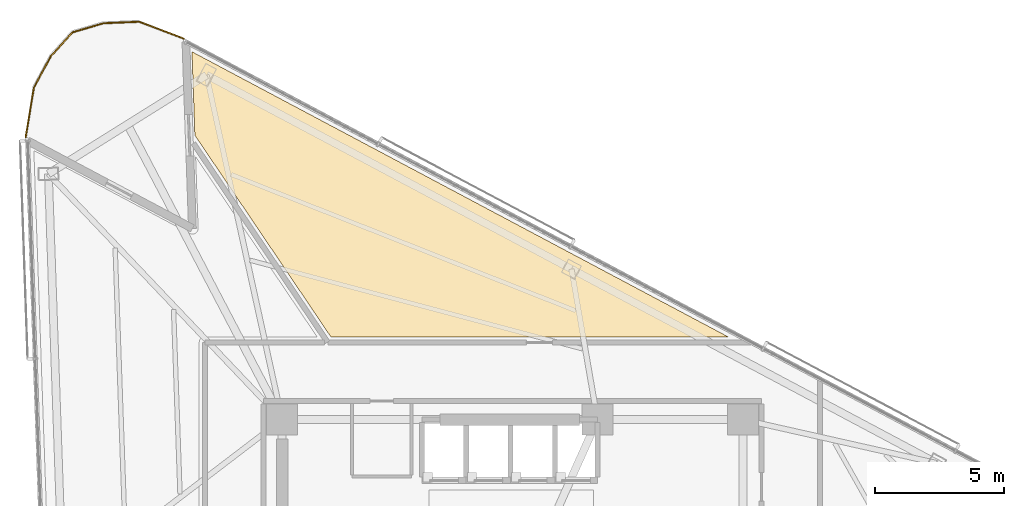
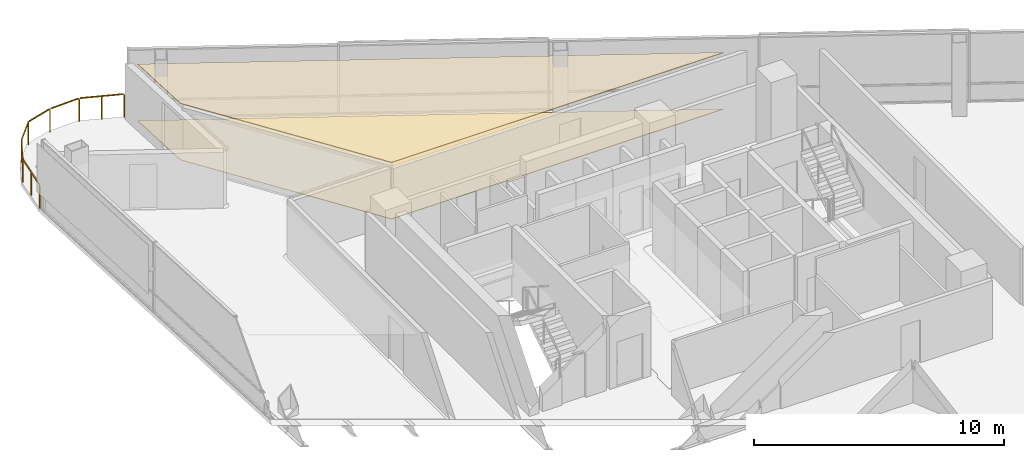
# One storey, part 18 of 18: 2 coverings, 1 railing.
"""IFC4 building model written with IfcOpenShell, lengths in metres."""

from ifc_helpers import new_model, si_unit, direction, frame, origin, origin_2d, place, context, subcontext, project, spatial, polyline, rectangle, outline, extrude, material, layer, layer_set, type_object, element, save


model = new_model("IFC4")

# Units and contexts
model_context = context("Model", 3, precision=1e-05, world=origin(), true_north=direction((0.0, 1.0)))
body_context = subcontext(model_context, "Body", "Model", "MODEL_VIEW")
ifc_project = project(units=[si_unit("LENGTHUNIT", "METRE"), si_unit("AREAUNIT", "SQUARE_METRE"), si_unit("VOLUMEUNIT", "CUBIC_METRE"), si_unit("PLANEANGLEUNIT", "RADIAN"), si_unit("MASSUNIT", "GRAM", prefix="KILO")], contexts=[model_context])

# Site, building, storey
site_placement = place(None, origin())
site = spatial("IfcSite", under=ifc_project, at=site_placement, CompositionType="ELEMENT")
building_placement = place(site_placement, origin())
building = spatial("IfcBuilding", under=site, at=building_placement, Name="Tharavind Bronze Gate", CompositionType="ELEMENT")
storey_placement = place(building_placement, frame((0.0, 0.0, 153.199951171875)))
storey = spatial("IfcBuildingStorey", under=building, at=storey_placement, Name="L39", CompositionType="ELEMENT", Elevation=153.199951171875)

# Coverings
ifc_material_1 = material(Name="Engineered Oak & Carpet Tile", Category="wood")
ifc_layer_1 = layer(ifc_material_1, 0.02490234375)
ifc_layer_set_1 = layer_set([ifc_layer_1], Name="Engineered Oak & Carpet Tile")
covering_type_1 = type_object("IfcCoveringType", Name="ENGINEERED TIMBER FLOORING", PredefinedType="FLOORING", material=ifc_layer_set_1)
covering_1_placement = place(storey_placement, origin())
element("IfcCovering", 1, at=covering_1_placement, inside=storey, type_object=covering_type_1, Name="L39-RM-01 floor finish", PredefinedType="FLOORING", context=body_context, shape_type="SweptSolid", body=[
    extrude(outline(polyline([(-12.26806640625, 18.58154296875), (-7.019287109375, 10.800048828125), (8.320068359375, 10.800048828125), (-12.380615234375, 21.806884765625), (-12.26806640625, 18.58154296875)])), origin(), (0.0, 0.0, 1.0), 0.025146484375),
])
ifc_material_2 = material(Name="Acoustic Gypsum Board", Category="gypsum")
ifc_layer_2 = layer(ifc_material_2, 0.030029296875)
ifc_layer_set_2 = layer_set([ifc_layer_2], Name="Acoustic Gypsum Board")
covering_type_2 = type_object("IfcCoveringType", Name="GYPSUM SUSPENDED CEILING", PredefinedType="CEILING", material=ifc_layer_set_2)
covering_2_placement = place(storey_placement, frame((0.0, 0.0, 2.75)))
element("IfcCovering", 2, at=covering_2_placement, inside=storey, type_object=covering_type_2, Name="L39-RM-01 suspended ceiling", PredefinedType="CEILING", context=body_context, shape_type="SweptSolid", body=[
    extrude(outline(polyline([(-12.26806640625, 18.58154296875), (-7.019287109375, 10.800048828125), (8.320068359375, 10.800048828125), (-12.380615234375, 21.806884765625), (-12.26806640625, 18.58154296875)])), origin(), (0.0, 0.0, 1.0), 0.03515625),
])

# Railing
ifc_material_3 = material(Name="Bronze Cap & Laminated Glass", Category="glass")
railing_type = type_object("IfcRailingType", Name="TERRACE GLASS GUARD RAILING 1150", PredefinedType="GUARDRAIL", material=ifc_material_3)
railing_placement = place(storey_placement, frame((-18.8046875, 18.500244140625, 0.0)))
element("IfcRailing", 3, at=railing_placement, inside=storey, type_object=railing_type, Name="L39 tree balcony guard railing", PredefinedType="GUARDRAIL", context=body_context, shape_type="SweptSolid", body=[
    extrude(rectangle(XDim=0.048095703125, YDim=0.048095703125, at=origin_2d()), frame((0.00537109375, 0.031494140625, 1.1259765625), z_axis=(0.164195729353, 0.986427778635, 0.0), x_axis=(-0.986427778635, 0.164195729353, 0.0)), (0.0, 0.0, 1.0), 1.8837890625),
    extrude(rectangle(XDim=0.048095703125, YDim=0.048095703125, at=origin_2d()), frame((0.3349609375, 1.949462890625, 1.1259765625), z_axis=(0.475354278584, 0.879794470221, 0.0), x_axis=(-0.879794470221, 0.475354278584, 0.0)), (0.0, 0.0, 1.0), 1.316650390625),
    extrude(rectangle(XDim=0.048095703125, YDim=0.048095703125, at=origin_2d()), frame((0.99755859375, 3.15966796875, 1.1259765625), z_axis=(0.672721531805, 0.739895763365, 0.0), x_axis=(-0.739895763365, 0.672721531805, 0.0)), (0.0, 0.0, 1.0), 1.1826171875),
    extrude(rectangle(XDim=0.048095703125, YDim=0.048095703125, at=origin_2d()), frame((1.845458984375, 4.0673828125, 1.1259765625), z_axis=(0.959866084935, 0.280458729571, 0.0), x_axis=(-0.280458729571, 0.959866084935, 0.0)), (0.0, 0.0, 1.0), 1.1826171875),
    extrude(rectangle(XDim=0.048095703125, YDim=0.048095703125, at=origin_2d()), frame((3.043212890625, 4.4091796875, 1.1259765625), z_axis=(0.999143462148, 0.041380454892, 0.0), x_axis=(-0.041380454892, 0.999143462148, 0.0)), (0.0, 0.0, 1.0), 1.316650390625),
    extrude(rectangle(XDim=0.048095703125, YDim=0.048095703125, at=origin_2d()), frame((4.420654296875, 4.453857421875, 1.1259765625), z_axis=(0.935175477512, -0.354184734651, 0.0), x_axis=(0.354184734651, 0.935175477512, 0.0)), (0.0, 0.0, 1.0), 1.770263671875),
    extrude(rectangle(XDim=0.0400390625, YDim=0.0400390625, at=origin_2d()), origin(), (0.0, 0.0, 1.0), 1.097900390625),
    extrude(rectangle(XDim=0.0400390625, YDim=0.0400390625, at=origin_2d()), frame((0.159912109375, 0.960693359375, 0.0)), (0.0, 0.0, 1.0), 1.097900390625),
    extrude(rectangle(XDim=0.0400390625, YDim=0.0400390625, at=origin_2d()), frame((0.31982421875, 1.92138671875, 0.0)), (0.0, 0.0, 1.0), 1.097900390625),
    extrude(rectangle(XDim=0.0400390625, YDim=0.0400390625, at=origin_2d()), frame((0.97607421875, 3.135986328125, 0.0)), (0.0, 0.0, 1.0), 1.097900390625),
    extrude(rectangle(XDim=0.0400390625, YDim=0.0400390625, at=origin_2d()), frame((1.814697265625, 4.058349609375, 0.0)), (0.0, 0.0, 1.0), 1.097900390625),
    extrude(rectangle(XDim=0.0400390625, YDim=0.0400390625, at=origin_2d()), frame((3.01123046875, 4.407958984375, 0.0)), (0.0, 0.0, 1.0), 1.097900390625),
    extrude(rectangle(XDim=0.0400390625, YDim=0.0400390625, at=origin_2d()), frame((4.390625, 4.465087890625, 0.0)), (0.0, 0.0, 1.0), 1.097900390625),
    extrude(rectangle(XDim=0.0400390625, YDim=0.0400390625, at=origin_2d()), frame((5.248291015625, 4.14013671875, 0.0)), (0.0, 0.0, 1.0), 1.097900390625),
    extrude(rectangle(XDim=0.0400390625, YDim=0.0400390625, at=origin_2d()), frame((6.10595703125, 3.8154296875, 0.0)), (0.0, 0.0, 1.0), 1.097900390625),
])

save(model, "model.ifc")
